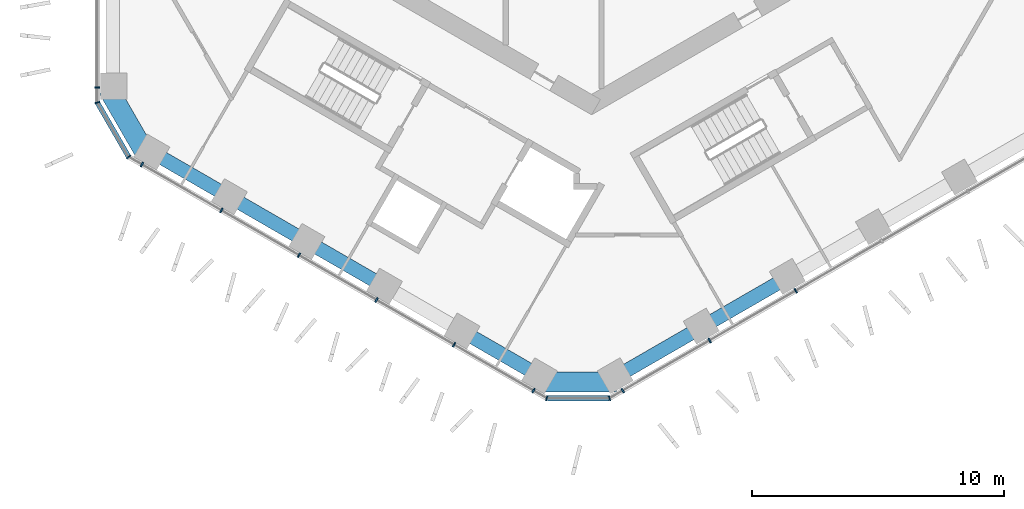
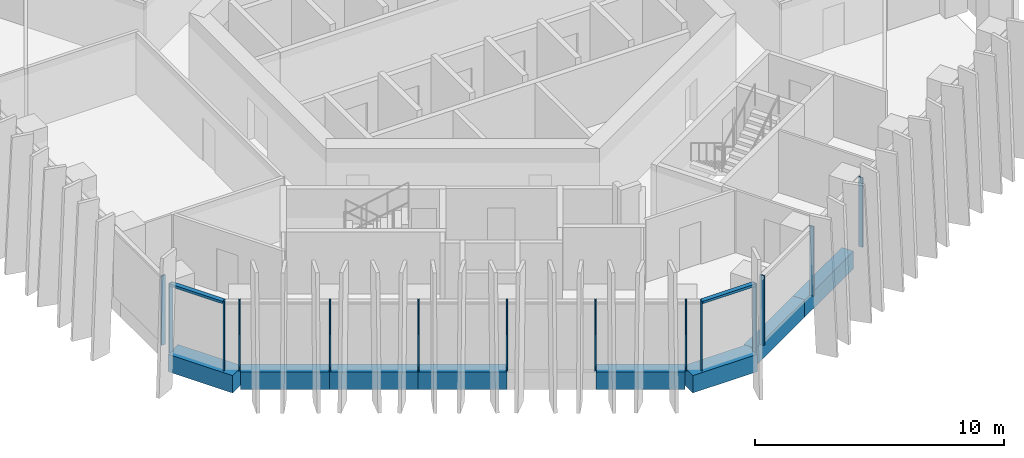
# One storey, part 2 of 19: 16 members, 8 beams, 5 elements without a shape of their own.
"""IFC4 building model written with IfcOpenShell, lengths in metres."""

from ifc_helpers import new_model, si_unit, direction, frame, origin, origin_2d, place, context, subcontext, project, spatial, rectangle, extrude, material, layer, layer_set, material_profile, profile_set, type_object, element, aggregate, save


model = new_model("IFC4")

# Units and contexts
model_context = context("Model", 3, precision=1e-05, world=origin(), true_north=direction((0.0, 1.0)))
body_context = subcontext(model_context, "Body", "Model", "MODEL_VIEW")
ifc_project = project(units=[si_unit("LENGTHUNIT", "METRE"), si_unit("AREAUNIT", "SQUARE_METRE"), si_unit("VOLUMEUNIT", "CUBIC_METRE"), si_unit("PLANEANGLEUNIT", "RADIAN"), si_unit("MASSUNIT", "GRAM", prefix="KILO")], contexts=[model_context])

# Site, building, storey
site_placement = place(None, origin())
site = spatial("IfcSite", under=ifc_project, at=site_placement, CompositionType="ELEMENT")
building_placement = place(site_placement, origin())
building = spatial("IfcBuilding", under=site, at=building_placement, Name="Ayvan Gate Tower", CompositionType="ELEMENT")
storey_placement = place(building_placement, frame((0.0, 0.0, 113.699951171875)))
storey = spatial("IfcBuildingStorey", under=building, at=storey_placement, Name="L30", CompositionType="ELEMENT", Elevation=113.699951171875)

# Beams
ifc_material_1 = material(Name="Concrete C40/50", Category="concrete")
ifc_material_profile_1 = material_profile(ifc_material_1, rectangle(XDim=0.800048828125, YDim=0.85009765625, at=origin_2d()), Name="RC 800x850")
ifc_profile_set_1 = profile_set([ifc_material_profile_1], Name="Concrete C40/50")
beam_type_1 = type_object("IfcBeamType", Name="Corner spandrel beam RC 800x850 C40/50", PredefinedType="BEAM", material=ifc_profile_set_1)
for number, where, z_axis, x_axis, name in (
    (1, (-19.155517578125, -9.928466796875, -0.77490234375), (0.499990139034, -0.866031096941, 0.0), (0.866031096941, 0.499990139034, 0.0), "SB-L30-24"),
    (2, (-2.0205078125, -21.553466796875, -0.77490234375), (1.0, 0.0, 0.0), (0.0, 1.0, 0.0), "SB-L30-30"),
):
    element("IfcBeam", number, at=place(storey_placement, frame(where, z_axis=z_axis, x_axis=x_axis)), inside=storey, type_object=beam_type_1, Name=name, PredefinedType="BEAM", context=body_context, shape_type="SweptSolid", body=[
        extrude(rectangle(XDim=0.800048828125, YDim=0.85009765625, at=origin_2d()), origin(), (0.0, 0.0, 1.0), 3.0),
    ])
ifc_material_profile_2 = material_profile(ifc_material_1, rectangle(XDim=0.550048828125, YDim=0.85009765625, at=origin_2d()), Name="RC 550x850")
ifc_profile_set_2 = profile_set([ifc_material_profile_2], Name="Concrete C40/50")
beam_type_2 = type_object("IfcBeamType", Name="Spandrel beam RC 550x850 C40/50", PredefinedType="BEAM", material=ifc_profile_set_2)
beam_1_placement = place(storey_placement, frame((-17.465087890625, -12.41650390625, -0.77490234375), z_axis=(0.866014603225, -0.500018706652, 0.0), x_axis=(0.500018706652, 0.866014603225, 0.0)))
element("IfcBeam", 3, at=beam_1_placement, inside=storey, type_object=beam_type_2, Name="SB-L30-25", PredefinedType="BEAM", context=body_context, shape_type="SweptSolid", body=[
    extrude(rectangle(XDim=0.550048828125, YDim=0.85009765625, at=origin_2d()), origin(), (0.0, 0.0, 1.0), 3.566650390625),
])
beam_2_placement = place(storey_placement, frame((-14.376220703125, -14.199951171875, -0.77490234375), z_axis=(0.866031715191, -0.499989068163, 0.0), x_axis=(0.499989068163, 0.866031715191, 0.0)))
element("IfcBeam", 4, at=beam_2_placement, inside=storey, type_object=beam_type_2, Name="SB-L30-26", PredefinedType="BEAM", context=body_context, shape_type="SweptSolid", body=[
    extrude(rectangle(XDim=0.550048828125, YDim=0.85009765625, at=origin_2d()), origin(), (0.0, 0.0, 1.0), 3.56689453125),
])
for number, where, z_axis, x_axis, name in (
    (5, (-11.287109375, -15.9833984375, -0.77490234375), (0.86604424267, -0.499967368674, 0.0), (0.499967368674, 0.86604424267, 0.0), "SB-L30-27"),
    (6, (-5.109375, -19.550048828125, -0.77490234375), (0.866014603225, -0.500018706652, 0.0), (0.500018706652, 0.866014603225, 0.0), "SB-L30-29"),
):
    element("IfcBeam", number, at=place(storey_placement, frame(where, z_axis=z_axis, x_axis=x_axis)), inside=storey, type_object=beam_type_2, Name=name, PredefinedType="BEAM", context=body_context, shape_type="SweptSolid", body=[
        extrude(rectangle(XDim=0.550048828125, YDim=0.85009765625, at=origin_2d()), origin(), (0.0, 0.0, 1.0), 3.566650390625),
    ])
for number, where, z_axis, x_axis, name in (
    (7, (0.9794921875, -21.33349609375, -0.77490234375), (0.866000277803, 0.500043516951, 0.0), (-0.500043516951, 0.866000277803, 0.0), "SB-L30-31"),
    (8, (4.380615234375, -19.36962890625, -0.77490234375), (0.866042736469, 0.499969977708, 0.0), (-0.499969977708, 0.866042736469, 0.0), "SB-L30-32"),
):
    element("IfcBeam", number, at=place(storey_placement, frame(where, z_axis=z_axis, x_axis=x_axis)), inside=storey, type_object=beam_type_2, Name=name, PredefinedType="BEAM", context=body_context, shape_type="SweptSolid", body=[
        extrude(rectangle(XDim=0.550048828125, YDim=0.85009765625, at=origin_2d()), origin(), (0.0, 0.0, 1.0), 3.927490234375),
    ])

# Curtain wall, member
ifc_material_2 = material(Name="Bronze anodised aluminium", Category="aluminium")
ifc_layer_1 = layer(ifc_material_2, 0.199951171875)
ifc_layer_set_1 = layer_set([ifc_layer_1], Name="Bronze anodised aluminium")
curtain_wall_type_1 = type_object("IfcCurtainWallType", Name="Stick curtain wall CW-1", PredefinedType="NOTDEFINED", material=ifc_layer_set_1)
curtain_wall_1_placement = place(storey_placement, origin())
curtain_wall_1 = element("IfcCurtainWall", 9, at=curtain_wall_1_placement, inside=storey, type_object=curtain_wall_type_1, Name="Stick curtain wall CW-1 L30", PredefinedType="NOTDEFINED")
ifc_material_profile_3 = material_profile(ifc_material_2, rectangle(XDim=0.199951171875, YDim=0.06005859375, at=origin_2d()), Name="Stick curtain wall CW-1 mullion 200 x 60")
ifc_profile_set_3 = profile_set([ifc_material_profile_3], Name="Bronze anodised aluminium")
member_type_1 = type_object("IfcMemberType", Name="Stick curtain wall CW-1 mullion 200 x 60", PredefinedType="MULLION", material=ifc_profile_set_3)
member_1_placement = place(storey_placement, frame((-19.576416015625, -9.878662109375, 0.0), z_axis=(0.0, 0.0, 1.0), x_axis=(-1.0, 0.0, 0.0)))
member_1 = element("IfcMember", 10, at=member_1_placement, type_object=member_type_1, Name="CW-1 mullion 6", PredefinedType="MULLION", context=body_context, shape_type="SweptSolid", body=[
    extrude(rectangle(XDim=0.199951171875, YDim=0.06005859375, at=origin_2d()), origin(), (0.0, 0.0, 1.0), 3.400146484375),
])
aggregate(curtain_wall_1, [member_1])

# Curtain wall, members
curtain_wall_2_placement = place(storey_placement, origin())
curtain_wall_2 = element("IfcCurtainWall", 11, at=curtain_wall_2_placement, inside=storey, type_object=curtain_wall_type_1, Name="Stick curtain wall CW-1 L30", PredefinedType="NOTDEFINED")
member_2_placement = place(storey_placement, frame((-17.809326171875, -12.939453125, 0.0), z_axis=(0.0, 0.0, 1.0), x_axis=(-0.5, -0.866025403784, 0.0)))
member_2 = element("IfcMember", 12, at=member_2_placement, type_object=member_type_1, Name="CW-1 mullion 1", PredefinedType="MULLION", context=body_context, shape_type="SweptSolid", body=[
    extrude(rectangle(XDim=0.199951171875, YDim=0.06005859375, at=origin_2d()), origin(), (0.0, 0.0, 1.0), 3.400146484375),
])
member_3_placement = place(storey_placement, frame((-14.662841796875, -14.756103515625, 0.0), z_axis=(0.0, 0.0, 1.0), x_axis=(-0.5, -0.866025403784, 0.0)))
member_3 = element("IfcMember", 13, at=member_3_placement, type_object=member_type_1, Name="CW-1 mullion 2", PredefinedType="MULLION", context=body_context, shape_type="SweptSolid", body=[
    extrude(rectangle(XDim=0.199951171875, YDim=0.06005859375, at=origin_2d()), origin(), (0.0, 0.0, 1.0), 3.400146484375),
])
member_4_placement = place(storey_placement, frame((-11.591064453125, -16.529541015625, 0.0), z_axis=(0.0, 0.0, 1.0), x_axis=(-0.5, -0.866025403784, 0.0)))
member_4 = element("IfcMember", 14, at=member_4_placement, type_object=member_type_1, Name="CW-1 mullion 3", PredefinedType="MULLION", context=body_context, shape_type="SweptSolid", body=[
    extrude(rectangle(XDim=0.199951171875, YDim=0.06005859375, at=origin_2d()), origin(), (0.0, 0.0, 1.0), 3.400146484375),
])
member_5_placement = place(storey_placement, frame((-8.519287109375, -18.302978515625, 0.0), z_axis=(0.0, 0.0, 1.0), x_axis=(-0.5, -0.866025403784, 0.0)))
member_5 = element("IfcMember", 15, at=member_5_placement, type_object=member_type_1, Name="CW-1 mullion 4", PredefinedType="MULLION", context=body_context, shape_type="SweptSolid", body=[
    extrude(rectangle(XDim=0.199951171875, YDim=0.06005859375, at=origin_2d()), origin(), (0.0, 0.0, 1.0), 3.400146484375),
])
member_6_placement = place(storey_placement, frame((-5.447509765625, -20.076416015625, 0.0), z_axis=(0.0, 0.0, 1.0), x_axis=(-0.5, -0.866025403784, 0.0)))
member_6 = element("IfcMember", 16, at=member_6_placement, type_object=member_type_1, Name="CW-1 mullion 5", PredefinedType="MULLION", context=body_context, shape_type="SweptSolid", body=[
    extrude(rectangle(XDim=0.199951171875, YDim=0.06005859375, at=origin_2d()), origin(), (0.0, 0.0, 1.0), 3.400146484375),
])
member_7_placement = place(storey_placement, frame((-2.30126953125, -21.89306640625, 0.0), z_axis=(0.0, 0.0, 1.0), x_axis=(-0.5, -0.866025403784, 0.0)))
member_7 = element("IfcMember", 17, at=member_7_placement, type_object=member_type_1, Name="CW-1 mullion 6", PredefinedType="MULLION", context=body_context, shape_type="SweptSolid", body=[
    extrude(rectangle(XDim=0.199951171875, YDim=0.06005859375, at=origin_2d()), origin(), (0.0, 0.0, 1.0), 3.400146484375),
])
aggregate(curtain_wall_2, [member_2, member_3, member_4, member_5, member_6, member_7])

curtain_wall_3_placement = place(storey_placement, origin())
curtain_wall_3 = element("IfcCurtainWall", 18, at=curtain_wall_3_placement, inside=storey, type_object=curtain_wall_type_1, Name="Stick curtain wall CW-1 L30", PredefinedType="NOTDEFINED")
member_8_placement = place(storey_placement, frame((1.233154296875, -21.89306640625, 0.0), z_axis=(0.0, 0.0, 1.0), x_axis=(0.5, -0.866025403784, 0.0)))
member_8 = element("IfcMember", 19, at=member_8_placement, type_object=member_type_1, Name="CW-1 mullion 1", PredefinedType="MULLION", context=body_context, shape_type="SweptSolid", body=[
    extrude(rectangle(XDim=0.199951171875, YDim=0.06005859375, at=origin_2d()), origin(), (0.0, 0.0, 1.0), 3.400146484375),
])
member_9_placement = place(storey_placement, frame((4.673828125, -19.906494140625, 0.0), z_axis=(0.0, 0.0, 1.0), x_axis=(0.5, -0.866025403784, 0.0)))
member_9 = element("IfcMember", 20, at=member_9_placement, type_object=member_type_1, Name="CW-1 mullion 2", PredefinedType="MULLION", context=body_context, shape_type="SweptSolid", body=[
    extrude(rectangle(XDim=0.199951171875, YDim=0.06005859375, at=origin_2d()), origin(), (0.0, 0.0, 1.0), 3.400146484375),
])
member_10_placement = place(storey_placement, frame((8.083251953125, -17.93798828125, 0.0), z_axis=(0.0, 0.0, 1.0), x_axis=(0.5, -0.866025403784, 0.0)))
member_10 = element("IfcMember", 21, at=member_10_placement, type_object=member_type_1, Name="CW-1 mullion 3", PredefinedType="MULLION", context=body_context, shape_type="SweptSolid", body=[
    extrude(rectangle(XDim=0.199951171875, YDim=0.06005859375, at=origin_2d()), origin(), (0.0, 0.0, 1.0), 3.400146484375),
])
aggregate(curtain_wall_3, [member_8, member_9, member_10])

ifc_layer_2 = layer(ifc_material_2, 0.199951171875)
ifc_layer_set_2 = layer_set([ifc_layer_2], Name="Bronze anodised aluminium")
curtain_wall_type_2 = type_object("IfcCurtainWallType", Name="Stick curtain wall CW-6", PredefinedType="NOTDEFINED", material=ifc_layer_set_2)
curtain_wall_4_placement = place(storey_placement, origin())
curtain_wall_4 = element("IfcCurtainWall", 22, at=curtain_wall_4_placement, inside=storey, type_object=curtain_wall_type_2, Name="Stick curtain wall CW-6 L30", PredefinedType="NOTDEFINED")
ifc_material_profile_4 = material_profile(ifc_material_2, rectangle(XDim=0.199951171875, YDim=0.050048828125, at=origin_2d()), Name="Stick curtain wall CW-6 mullion 200 x 50")
ifc_profile_set_4 = profile_set([ifc_material_profile_4], Name="Bronze anodised aluminium")
member_type_2 = type_object("IfcMemberType", Name="Stick curtain wall CW-6 mullion 200 x 50", PredefinedType="MULLION", material=ifc_profile_set_4)
member_11_placement = place(storey_placement, frame((-19.576416015625, -10.483642578125, 0.0), z_axis=(0.0, 0.0, 1.0), x_axis=(-0.965925826289, -0.258819045103, 0.0)))
member_11 = element("IfcMember", 23, at=member_11_placement, type_object=member_type_2, Name="CW-6 mullion 2", PredefinedType="MULLION", context=body_context, shape_type="SweptSolid", body=[
    extrude(rectangle(XDim=0.199951171875, YDim=0.050048828125, at=origin_2d()), origin(), (0.0, 0.0, 1.0), 3.400146484375),
])
member_12_placement = place(storey_placement, frame((-18.333251953125, -12.636962890625, 0.0), z_axis=(0.0, 0.0, 1.0), x_axis=(-0.707106781187, -0.707106781187, 0.0)))
member_12 = element("IfcMember", 24, at=member_12_placement, type_object=member_type_2, Name="CW-6 mullion 3", PredefinedType="MULLION", context=body_context, shape_type="SweptSolid", body=[
    extrude(rectangle(XDim=0.199951171875, YDim=0.050048828125, at=origin_2d()), origin(), (0.0, 0.0, 1.0), 3.400146484375),
])

curtain_wall_5_placement = place(storey_placement, origin())
curtain_wall_5 = element("IfcCurtainWall", 25, at=curtain_wall_5_placement, inside=storey, type_object=curtain_wall_type_2, Name="Stick curtain wall CW-6 L30", PredefinedType="NOTDEFINED")
member_13_placement = place(storey_placement, frame((-1.77734375, -22.195556640625, 0.0), z_axis=(0.0, 0.0, 1.0), x_axis=(-0.258819045103, -0.965925826289, 0.0)))
member_13 = element("IfcMember", 26, at=member_13_placement, type_object=member_type_2, Name="CW-6 mullion 2", PredefinedType="MULLION", context=body_context, shape_type="SweptSolid", body=[
    extrude(rectangle(XDim=0.199951171875, YDim=0.050048828125, at=origin_2d()), origin(), (0.0, 0.0, 1.0), 3.400146484375),
])
member_14_placement = place(storey_placement, frame((0.709228515625, -22.195556640625, 0.0), z_axis=(0.0, 0.0, 1.0), x_axis=(0.258819045103, -0.965925826289, 0.0)))
member_14 = element("IfcMember", 27, at=member_14_placement, type_object=member_type_2, Name="CW-6 mullion 3", PredefinedType="MULLION", context=body_context, shape_type="SweptSolid", body=[
    extrude(rectangle(XDim=0.199951171875, YDim=0.050048828125, at=origin_2d()), origin(), (0.0, 0.0, 1.0), 3.400146484375),
])

# Member
ifc_material_profile_5 = material_profile(ifc_material_2, rectangle(XDim=0.199951171875, YDim=0.1201171875, at=origin_2d()), Name="Stick curtain wall CW-6 transom 200 x 120")
ifc_profile_set_5 = profile_set([ifc_material_profile_5], Name="Bronze anodised aluminium")
member_type_3 = type_object("IfcMemberType", Name="Stick curtain wall CW-6 transom 200 x 120", PredefinedType="USERDEFINED", material=ifc_profile_set_5)
member_15_placement = place(storey_placement, frame((-19.56396484375, -10.50537109375, 3.340087890625), z_axis=(0.499997116, -0.866027068856, 0.0), x_axis=(0.866027068856, 0.499997116, 0.0)))
member_15 = element("IfcMember", 28, at=member_15_placement, type_object=member_type_3, Name="CW-6 transom 2", ObjectType="TRANSOM", PredefinedType="USERDEFINED", context=body_context, shape_type="SweptSolid", body=[
    extrude(rectangle(XDim=0.199951171875, YDim=0.1201171875, at=origin_2d()), origin(), (0.0, 0.0, 1.0), 2.4365234375),
])

aggregate(curtain_wall_4, [member_11, member_12, member_15])

member_16_placement = place(storey_placement, frame((-1.75244140625, -22.195556640625, 3.340087890625), z_axis=(1.0, 0.0, 0.0), x_axis=(0.0, 1.0, 0.0)))
member_16 = element("IfcMember", 29, at=member_16_placement, type_object=member_type_3, Name="CW-6 transom 2", ObjectType="TRANSOM", PredefinedType="USERDEFINED", context=body_context, shape_type="SweptSolid", body=[
    extrude(rectangle(XDim=0.199951171875, YDim=0.1201171875, at=origin_2d()), origin(), (0.0, 0.0, 1.0), 2.4365234375),
])

aggregate(curtain_wall_5, [member_13, member_14, member_16])

save(model, "model.ifc")
